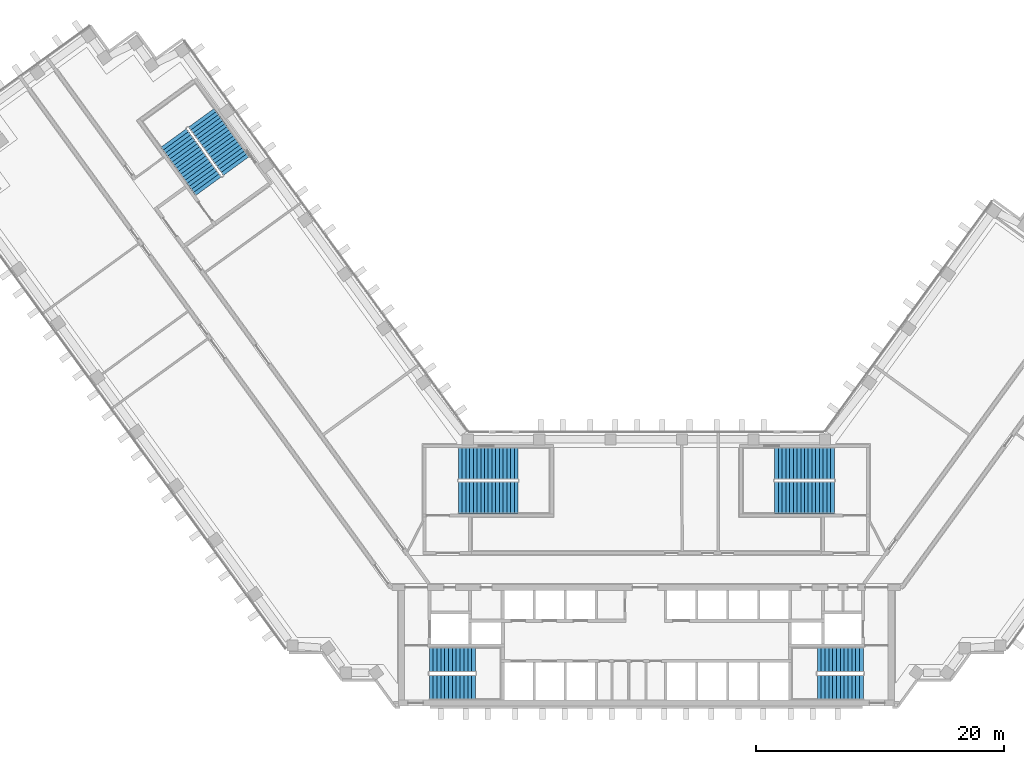
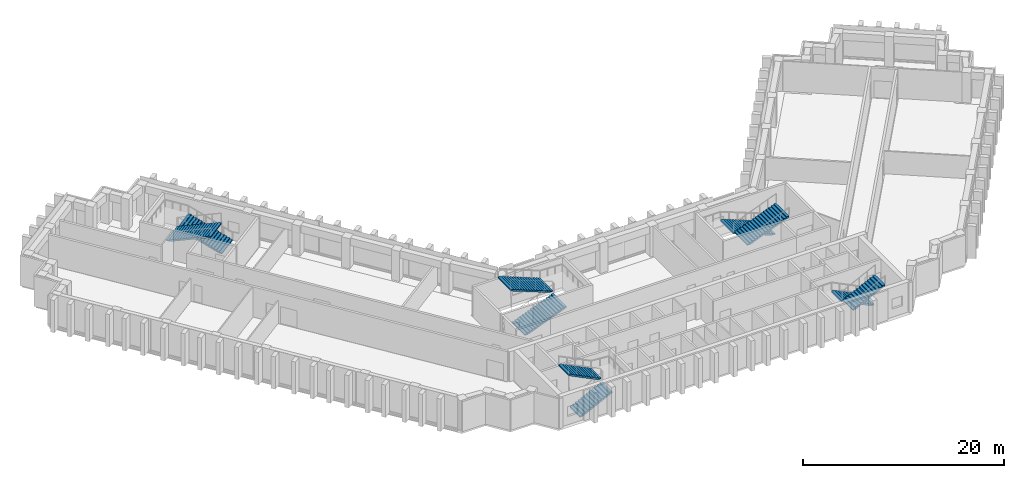
# One storey, part 10 of 12: 10 stair flights, 5 elements without a shape of their own.
"""IFC4 building model written with IfcOpenShell, lengths in metres."""

import ifcopenshell
import ifcopenshell.guid

model = None  # the IFC model being written
_history = None  # IfcOwnerHistory: only IFC2X3 demands one
_inside = {}  # id of a spatial element -> (the spatial element, [elements in it])
_under = {}  # id of a project, library or spatial element -> (it, [spatial elements below it])
_declared = {}  # id of a project -> (the project, [libraries it declares])
_typed = {}  # id of a type object -> (the type object, [elements of that type])
_made_of = {}  # id of a material, layer set ... -> (it, [elements and type objects made of it])


def new_model(schema):
    """Start an empty IFC model of exactly this schema.

    Asked for "IFC4X3", IfcOpenShell would pick the latest addendum, in which some entities
    have other attributes; the version numbers below select the first issue.
    IFC2X3 requires an IfcOwnerHistory on every rooted entity: one is made here for all.
    """
    global model, _history
    if schema == "IFC4X3":
        model = ifcopenshell.file(schema_version=(4, 3, 0, 0))
    else:
        model = ifcopenshell.file(schema=schema)
    _inside.clear()
    _under.clear()
    _declared.clear()
    _typed.clear()
    _made_of.clear()
    _history = None
    if model.schema == "IFC2X3":
        org = make("IfcOrganization", Name="unknown")
        user = make(
            "IfcPersonAndOrganization",
            ThePerson=make("IfcPerson", FamilyName="unknown"),
            TheOrganization=org,
        )
        app = make(
            "IfcApplication",
            ApplicationDeveloper=org,
            Version="unknown",
            ApplicationFullName="unknown",
            ApplicationIdentifier="unknown",
        )
        _history = make(
            "IfcOwnerHistory",
            OwningUser=user,
            OwningApplication=app,
            ChangeAction="ADDED",
            CreationDate=0,
        )
    return model


def make(cls, **values):
    """One entity of the class cls with the attributes given. An attribute that is None is left unset."""
    return model.create_entity(
        cls, **{name: value for name, value in values.items() if value is not None}
    )


def rooted(cls, **values):
    """An entity with a GlobalId (a new one), such as an element, a storey or a relation."""
    return make(cls, GlobalId=ifcopenshell.guid.new(), OwnerHistory=_history, **values)


def si_unit(unit_type, name, prefix=None):
    """IfcSIUnit, for example si_unit("LENGTHUNIT", "METRE", prefix="MILLI")."""
    return make("IfcSIUnit", UnitType=unit_type, Prefix=prefix, Name=name)


def assignment(units):
    """IfcUnitAssignment: the units of a project."""
    return None if units is None else make("IfcUnitAssignment", Units=units)


def point(xyz):
    """IfcCartesianPoint."""
    return None if xyz is None else make("IfcCartesianPoint", Coordinates=xyz)


def direction(xyz):
    """IfcDirection."""
    return None if xyz is None else make("IfcDirection", DirectionRatios=xyz)


def frame(location, z_axis=None, x_axis=None):
    """IfcAxis2Placement3D, a coordinate frame: its origin and axes. An axis left out is left unset."""
    return make(
        "IfcAxis2Placement3D",
        Location=point(location),
        Axis=direction(z_axis),
        RefDirection=direction(x_axis),
    )


def origin():
    """The frame at (0, 0, 0) with its axes left unset."""
    return frame((0.0, 0.0, 0.0))


def place(relative_to, where):
    """IfcLocalPlacement: puts the frame where relative to a parent placement (None: the world)."""
    return make(
        "IfcLocalPlacement", PlacementRelTo=relative_to, RelativePlacement=where
    )


def context(
    kind, dimensions, precision=None, world=None, true_north=None, identifier=None
):
    """IfcGeometricRepresentationContext, for example the 3D "Model" context."""
    return make(
        "IfcGeometricRepresentationContext",
        ContextIdentifier=identifier,
        ContextType=kind,
        CoordinateSpaceDimension=dimensions,
        Precision=precision,
        WorldCoordinateSystem=world,
        TrueNorth=true_north,
    )


def subcontext(parent, identifier, kind, view, scale=None):
    """IfcGeometricRepresentationSubContext, for example "Body" below "Model"."""
    return make(
        "IfcGeometricRepresentationSubContext",
        ContextIdentifier=identifier,
        ContextType=kind,
        ParentContext=parent,
        TargetScale=scale,
        TargetView=view,
    )


def project(units=None, contexts=None):
    """IfcProject with its units and contexts."""
    return rooted(
        "IfcProject",
        Name="project",
        RepresentationContexts=contexts,
        UnitsInContext=assignment(units),
    )


def spatial(cls, under=None, at=None, **own):
    """A site, building, storey or space (cls), placed at a placement, below another one or the project."""
    s = rooted(cls, ObjectPlacement=at, **own)
    if under is not None:
        _under.setdefault(under.id(), (under, []))[1].append(s)
    return s


def polyline(points):
    """IfcPolyline through the points."""
    return make("IfcPolyline", Points=[point(p) for p in points])


def outline(outer, holes=None, kind="AREA"):
    """IfcArbitraryClosedProfileDef: a profile drawn as a closed curve; with holes, ...WithVoids."""
    if holes is None:
        return make("IfcArbitraryClosedProfileDef", ProfileType=kind, OuterCurve=outer)
    return make(
        "IfcArbitraryProfileDefWithVoids",
        ProfileType=kind,
        OuterCurve=outer,
        InnerCurves=holes,
    )


def extrude(swept, where, along, depth):
    """IfcExtrudedAreaSolid: the profile swept, set in the frame where, extruded along a direction by depth."""
    return make(
        "IfcExtrudedAreaSolid",
        SweptArea=swept,
        Position=where,
        ExtrudedDirection=direction(along),
        Depth=depth,
    )


def shape(context_of_items, identifier, shape_type, items):
    """IfcShapeRepresentation: the items that make up one representation, for example the "Body"."""
    return make(
        "IfcShapeRepresentation",
        ContextOfItems=context_of_items,
        RepresentationIdentifier=identifier,
        RepresentationType=shape_type,
        Items=items,
    )


def material(Name=None, Category=None):
    """IfcMaterial."""
    return make("IfcMaterial", Name=Name, Category=Category)


def made_of(thing, what):
    """Note that an element or type object is made of a material, layer set ...; save() writes the relation."""
    if what is not None:
        _made_of.setdefault(what.id(), (what, []))[1].append(thing)
    return thing


def type_object(cls, material=None, **own):
    """A type object (cls), such as IfcWallType, which elements share."""
    return made_of(rooted(cls, **own), material)


def element(
    cls,
    number,
    at=None,
    inside=None,
    cuts=None,
    type_object=None,
    material=None,
    context=None,
    identifier="Body",
    shape_type=None,
    held_by="IfcProductDefinitionShape",
    body=None,
    shapes=None,
    **own,
):
    """One element of the class cls, such as IfcWall. Its Tag is "e" and its number.

    at: its placement. inside: the storey or other place that contains it. cuts: it is an
    opening in that element (IfcRelVoidsElement). A single representation is given by context,
    identifier, shape_type and body (its items); several are given by shapes. held_by: the class
    of the entity that holds the representations. save() writes the other relations.
    """
    e = rooted(cls, Tag="e%d" % number, ObjectPlacement=at, **own)
    if body is not None:
        shapes = [shape(context, identifier, shape_type, body)]
    if shapes is not None:
        e.Representation = make(held_by, Representations=shapes)
    if inside is not None:
        _inside.setdefault(inside.id(), (inside, []))[1].append(e)
    if cuts is not None:
        rooted(
            "IfcRelVoidsElement", RelatingBuildingElement=cuts, RelatedOpeningElement=e
        )
    if type_object is not None:
        _typed.setdefault(type_object.id(), (type_object, []))[1].append(e)
    return made_of(e, material)


def aggregate(whole, parts):
    """IfcRelAggregates: a whole, such as a stair, and the parts it consists of."""
    return rooted("IfcRelAggregates", RelatingObject=whole, RelatedObjects=parts)


def save(model, path):
    """Write the relations noted so far, then the file.

    IfcRelAggregates (storeys below a building ...), IfcRelContainedInSpatialStructure (elements
    in a storey), IfcRelDefinesByType, IfcRelAssociatesMaterial and IfcRelDeclares: one each for
    every whole, place, type object, material and project.
    """
    for whole, parts in _under.values():
        aggregate(whole, parts)
    for where, things in _inside.values():
        rooted(
            "IfcRelContainedInSpatialStructure",
            RelatedElements=things,
            RelatingStructure=where,
        )
    for kind, things in _typed.values():
        rooted("IfcRelDefinesByType", RelatedObjects=things, RelatingType=kind)
    for what, things in _made_of.values():
        rooted("IfcRelAssociatesMaterial", RelatedObjects=things, RelatingMaterial=what)
    for by, libraries in _declared.values():
        rooted("IfcRelDeclares", RelatingContext=by, RelatedDefinitions=libraries)
    model.write(path)


model = new_model("IFC4")

# Units and contexts
model_context = context("Model", 3, precision=1e-05, world=origin(), true_north=direction((0.0, 1.0)))
body_context = subcontext(model_context, "Body", "Model", "MODEL_VIEW")
ifc_project = project(units=[si_unit("LENGTHUNIT", "METRE"), si_unit("AREAUNIT", "SQUARE_METRE"), si_unit("VOLUMEUNIT", "CUBIC_METRE"), si_unit("PLANEANGLEUNIT", "RADIAN"), si_unit("MASSUNIT", "GRAM", prefix="KILO")], contexts=[model_context])

# Site, building, storey
site_placement = place(None, origin())
site = spatial("IfcSite", under=ifc_project, at=site_placement, CompositionType="ELEMENT")
building_placement = place(site_placement, origin())
building = spatial("IfcBuilding", under=site, at=building_placement, Name="Quipu Civic Tower", CompositionType="ELEMENT")
storey_placement = place(building_placement, frame((0.0, 0.0, 121.0)))
storey = spatial("IfcBuildingStorey", under=building, at=storey_placement, Name="L28", CompositionType="ELEMENT", Elevation=121.0)

# Stair, stair flights
ifc_material_1 = material(Name="Concrete C40/50", Category="concrete")
stair_type_1 = type_object("IfcStairType", Name="Half turn stair 2000", PredefinedType="HALF_TURN_STAIR", material=ifc_material_1)
stair_1_placement = place(storey_placement, origin())
stair_1 = element("IfcStair", 1, at=stair_1_placement, inside=storey, type_object=stair_type_1, Name="Exit stair 1", PredefinedType="HALF_TURN_STAIR")
ifc_material_2 = material(Name="Concrete C40/50", Category="concrete")
stair_flight_type_1 = type_object("IfcStairFlightType", Name="Stair flight 2000", PredefinedType="STRAIGHT", material=ifc_material_2)
stair_flight_1_placement = place(storey_placement, frame((-17.5, -9.5, 0.0), z_axis=(0.0, 0.0, 1.0), x_axis=(1.0, 0.0, 0.0)))
stair_flight_1 = element("IfcStairFlight", 2, at=stair_flight_1_placement, type_object=stair_flight_type_1, Name="ST-1 flight 1", NumberOfRisers=13, NumberOfTreads=12, PredefinedType="STRAIGHT", RiserHeight=0.153846154, TreadLength=0.31, context=body_context, shape_type="SweptSolid", body=[
    extrude(outline(polyline([(0.0, 0.0), (0.0, 0.15380859375), (0.31005859375, 0.15380859375), (0.31005859375, 0.3076171875), (0.6201171875, 0.3076171875), (0.6201171875, 0.46142578125), (0.929931640625, 0.46142578125), (0.929931640625, 0.615478515625), (1.239990234375, 0.615478515625), (1.239990234375, 0.769287109375), (1.550048828125, 0.769287109375), (1.550048828125, 0.923095703125), (1.860107421875, 0.923095703125), (1.860107421875, 1.076904296875), (2.169921875, 1.076904296875), (2.169921875, 1.230712890625), (2.47998046875, 1.230712890625), (2.47998046875, 1.384521484375), (2.7900390625, 1.384521484375), (2.7900390625, 1.53857421875), (3.10009765625, 1.53857421875), (3.10009765625, 1.6923828125), (3.409912109375, 1.6923828125), (3.409912109375, 1.84619140625), (3.719970703125, 1.84619140625), (3.719970703125, 2.0), (3.719970703125, 1.6787109375), (0.337158203125, 0.0), (0.0, 0.0)])), frame((0.0, 1.0, 0.0), z_axis=(0.0, -1.0, 0.0), x_axis=(1.0, 0.0, 0.0)), (0.0, 0.0, 1.0), 2.0),
])
stair_flight_2_placement = place(storey_placement, frame((-13.780029296875, -7.25, 2.0), z_axis=(0.0, 0.0, 1.0), x_axis=(-1.0, 0.0, 0.0)))
stair_flight_2 = element("IfcStairFlight", 3, at=stair_flight_2_placement, type_object=stair_flight_type_1, Name="ST-1 flight 2", NumberOfRisers=13, NumberOfTreads=12, PredefinedType="STRAIGHT", RiserHeight=0.153846154, TreadLength=0.31, context=body_context, shape_type="SweptSolid", body=[
    extrude(outline(polyline([(0.0, 0.0), (0.0, 0.15380859375), (0.31005859375, 0.15380859375), (0.31005859375, 0.3076171875), (0.6201171875, 0.3076171875), (0.6201171875, 0.46142578125), (0.929931640625, 0.46142578125), (0.929931640625, 0.615478515625), (1.239990234375, 0.615478515625), (1.239990234375, 0.769287109375), (1.550048828125, 0.769287109375), (1.550048828125, 0.923095703125), (1.860107421875, 0.923095703125), (1.860107421875, 1.076904296875), (2.169921875, 1.076904296875), (2.169921875, 1.230712890625), (2.47998046875, 1.230712890625), (2.47998046875, 1.384521484375), (2.7900390625, 1.384521484375), (2.7900390625, 1.53857421875), (3.10009765625, 1.53857421875), (3.10009765625, 1.6923828125), (3.409912109375, 1.6923828125), (3.409912109375, 1.84619140625), (3.719970703125, 1.84619140625), (3.719970703125, 2.0), (3.719970703125, 1.6787109375), (0.337158203125, 0.0), (0.0, 0.0)])), frame((0.0, 1.0, 0.0), z_axis=(0.0, -1.0, 0.0), x_axis=(1.0, 0.0, 0.0)), (0.0, 0.0, 1.0), 2.0),
])
aggregate(stair_1, [stair_flight_1, stair_flight_2])

stair_2_placement = place(storey_placement, origin())
stair_2 = element("IfcStair", 4, at=stair_2_placement, inside=storey, type_object=stair_type_1, Name="Exit stair 2", PredefinedType="HALF_TURN_STAIR")
stair_flight_3_placement = place(storey_placement, frame((17.5, -7.25, 0.0), z_axis=(0.0, 0.0, 1.0), x_axis=(-1.0, 0.0, 0.0)))
stair_flight_3 = element("IfcStairFlight", 5, at=stair_flight_3_placement, type_object=stair_flight_type_1, Name="ST-2 flight 1", NumberOfRisers=13, NumberOfTreads=12, PredefinedType="STRAIGHT", RiserHeight=0.153846154, TreadLength=0.31, context=body_context, shape_type="SweptSolid", body=[
    extrude(outline(polyline([(0.0, 0.0), (0.0, 0.15380859375), (0.31005859375, 0.15380859375), (0.31005859375, 0.3076171875), (0.6201171875, 0.3076171875), (0.6201171875, 0.46142578125), (0.929931640625, 0.46142578125), (0.929931640625, 0.615478515625), (1.239990234375, 0.615478515625), (1.239990234375, 0.769287109375), (1.550048828125, 0.769287109375), (1.550048828125, 0.923095703125), (1.860107421875, 0.923095703125), (1.860107421875, 1.076904296875), (2.169921875, 1.076904296875), (2.169921875, 1.230712890625), (2.47998046875, 1.230712890625), (2.47998046875, 1.384521484375), (2.7900390625, 1.384521484375), (2.7900390625, 1.53857421875), (3.10009765625, 1.53857421875), (3.10009765625, 1.6923828125), (3.409912109375, 1.6923828125), (3.409912109375, 1.84619140625), (3.719970703125, 1.84619140625), (3.719970703125, 2.0), (3.719970703125, 1.6787109375), (0.337158203125, 0.0), (0.0, 0.0)])), frame((0.0, 1.0, 0.0), z_axis=(0.0, -1.0, 0.0), x_axis=(1.0, 0.0, 0.0)), (0.0, 0.0, 1.0), 2.0),
])
stair_flight_4_placement = place(storey_placement, frame((13.780029296875, -9.5, 2.0), z_axis=(0.0, 0.0, 1.0), x_axis=(1.0, 0.0, 0.0)))
stair_flight_4 = element("IfcStairFlight", 6, at=stair_flight_4_placement, type_object=stair_flight_type_1, Name="ST-2 flight 2", NumberOfRisers=13, NumberOfTreads=12, PredefinedType="STRAIGHT", RiserHeight=0.153846154, TreadLength=0.31, context=body_context, shape_type="SweptSolid", body=[
    extrude(outline(polyline([(0.0, 0.0), (0.0, 0.15380859375), (0.31005859375, 0.15380859375), (0.31005859375, 0.3076171875), (0.6201171875, 0.3076171875), (0.6201171875, 0.46142578125), (0.929931640625, 0.46142578125), (0.929931640625, 0.615478515625), (1.239990234375, 0.615478515625), (1.239990234375, 0.769287109375), (1.550048828125, 0.769287109375), (1.550048828125, 0.923095703125), (1.860107421875, 0.923095703125), (1.860107421875, 1.076904296875), (2.169921875, 1.076904296875), (2.169921875, 1.230712890625), (2.47998046875, 1.230712890625), (2.47998046875, 1.384521484375), (2.7900390625, 1.384521484375), (2.7900390625, 1.53857421875), (3.10009765625, 1.53857421875), (3.10009765625, 1.6923828125), (3.409912109375, 1.6923828125), (3.409912109375, 1.84619140625), (3.719970703125, 1.84619140625), (3.719970703125, 2.0), (3.719970703125, 1.6787109375), (0.337158203125, 0.0), (0.0, 0.0)])), frame((0.0, 1.0, 0.0), z_axis=(0.0, -1.0, 0.0), x_axis=(1.0, 0.0, 0.0)), (0.0, 0.0, 1.0), 2.0),
])
aggregate(stair_2, [stair_flight_3, stair_flight_4])

ifc_material_3 = material(Name="Concrete C40/50", Category="concrete")
stair_type_2 = type_object("IfcStairType", Name="Half turn stair 2600", PredefinedType="HALF_TURN_STAIR", material=ifc_material_3)
stair_3_placement = place(storey_placement, origin())
stair_3 = element("IfcStair", 7, at=stair_3_placement, inside=storey, type_object=stair_type_2, Name="Exit stair 3", PredefinedType="HALF_TURN_STAIR")
ifc_material_4 = material(Name="Concrete C40/50", Category="concrete")
stair_flight_type_2 = type_object("IfcStairFlightType", Name="Stair flight 2600", PredefinedType="STRAIGHT", material=ifc_material_4)
stair_flight_5_placement = place(storey_placement, frame((-15.14990234375, 5.800048828125, 0.0), z_axis=(0.0, 0.0, 1.0), x_axis=(1.0, 0.0, 0.0)))
stair_flight_5 = element("IfcStairFlight", 8, at=stair_flight_5_placement, type_object=stair_flight_type_2, Name="ST-3 flight 1", NumberOfRisers=17, NumberOfTreads=16, PredefinedType="STRAIGHT", RiserHeight=0.117647059, TreadLength=0.3, context=body_context, shape_type="SweptSolid", body=[
    extrude(outline(polyline([(0.0, 0.0), (0.0, 0.11767578125), (0.300048828125, 0.11767578125), (0.300048828125, 0.2353515625), (0.60009765625, 0.2353515625), (0.60009765625, 0.35302734375), (0.89990234375, 0.35302734375), (0.89990234375, 0.470703125), (1.199951171875, 0.470703125), (1.199951171875, 0.588134765625), (1.5, 0.588134765625), (1.5, 0.705810546875), (1.800048828125, 0.705810546875), (1.800048828125, 0.823486328125), (2.10009765625, 0.823486328125), (2.10009765625, 0.941162109375), (2.39990234375, 0.941162109375), (2.39990234375, 1.058837890625), (2.699951171875, 1.058837890625), (2.699951171875, 1.176513671875), (3.0, 1.176513671875), (3.0, 1.294189453125), (3.300048828125, 1.294189453125), (3.300048828125, 1.411865234375), (3.60009765625, 1.411865234375), (3.60009765625, 1.529296875), (3.89990234375, 1.529296875), (3.89990234375, 1.64697265625), (4.199951171875, 1.64697265625), (4.199951171875, 1.7646484375), (4.5, 1.7646484375), (4.5, 1.88232421875), (4.800048828125, 1.88232421875), (4.800048828125, 2.0), (4.800048828125, 1.721435546875), (0.41064453125, 0.0), (0.0, 0.0)])), frame((0.0, 1.300048828125, 0.0), z_axis=(0.0, -1.0, 0.0), x_axis=(1.0, 0.0, 0.0)), (0.0, 0.0, 1.0), 2.60009765625),
])
stair_flight_6_placement = place(storey_placement, frame((-10.35009765625, 8.550048828125, 2.0), z_axis=(0.0, 0.0, 1.0), x_axis=(-1.0, 0.0, 0.0)))
stair_flight_6 = element("IfcStairFlight", 9, at=stair_flight_6_placement, type_object=stair_flight_type_2, Name="ST-3 flight 2", NumberOfRisers=17, NumberOfTreads=16, PredefinedType="STRAIGHT", RiserHeight=0.117647059, TreadLength=0.3, context=body_context, shape_type="SweptSolid", body=[
    extrude(outline(polyline([(0.0, 0.0), (0.0, 0.11767578125), (0.300048828125, 0.11767578125), (0.300048828125, 0.2353515625), (0.60009765625, 0.2353515625), (0.60009765625, 0.35302734375), (0.89990234375, 0.35302734375), (0.89990234375, 0.470703125), (1.199951171875, 0.470703125), (1.199951171875, 0.588134765625), (1.5, 0.588134765625), (1.5, 0.705810546875), (1.800048828125, 0.705810546875), (1.800048828125, 0.823486328125), (2.10009765625, 0.823486328125), (2.10009765625, 0.941162109375), (2.39990234375, 0.941162109375), (2.39990234375, 1.058837890625), (2.699951171875, 1.058837890625), (2.699951171875, 1.176513671875), (3.0, 1.176513671875), (3.0, 1.294189453125), (3.300048828125, 1.294189453125), (3.300048828125, 1.411865234375), (3.60009765625, 1.411865234375), (3.60009765625, 1.529296875), (3.89990234375, 1.529296875), (3.89990234375, 1.64697265625), (4.199951171875, 1.64697265625), (4.199951171875, 1.7646484375), (4.5, 1.7646484375), (4.5, 1.88232421875), (4.800048828125, 1.88232421875), (4.800048828125, 2.0), (4.800048828125, 1.721435546875), (0.41064453125, 0.0), (0.0, 0.0)])), frame((0.0, 1.300048828125, 0.0), z_axis=(0.0, -1.0, 0.0), x_axis=(1.0, 0.0, 0.0)), (0.0, 0.0, 1.0), 2.60009765625),
])
aggregate(stair_3, [stair_flight_5, stair_flight_6])

stair_4_placement = place(storey_placement, origin())
stair_4 = element("IfcStair", 10, at=stair_4_placement, inside=storey, type_object=stair_type_2, Name="Exit stair 4", PredefinedType="HALF_TURN_STAIR")
stair_flight_7_placement = place(storey_placement, frame((15.14990234375, 8.550048828125, 0.0), z_axis=(0.0, 0.0, 1.0), x_axis=(-1.0, 0.0, 0.0)))
stair_flight_7 = element("IfcStairFlight", 11, at=stair_flight_7_placement, type_object=stair_flight_type_2, Name="ST-4 flight 1", NumberOfRisers=17, NumberOfTreads=16, PredefinedType="STRAIGHT", RiserHeight=0.117647059, TreadLength=0.3, context=body_context, shape_type="SweptSolid", body=[
    extrude(outline(polyline([(0.0, 0.0), (0.0, 0.11767578125), (0.300048828125, 0.11767578125), (0.300048828125, 0.2353515625), (0.60009765625, 0.2353515625), (0.60009765625, 0.35302734375), (0.89990234375, 0.35302734375), (0.89990234375, 0.470703125), (1.199951171875, 0.470703125), (1.199951171875, 0.588134765625), (1.5, 0.588134765625), (1.5, 0.705810546875), (1.800048828125, 0.705810546875), (1.800048828125, 0.823486328125), (2.10009765625, 0.823486328125), (2.10009765625, 0.941162109375), (2.39990234375, 0.941162109375), (2.39990234375, 1.058837890625), (2.699951171875, 1.058837890625), (2.699951171875, 1.176513671875), (3.0, 1.176513671875), (3.0, 1.294189453125), (3.300048828125, 1.294189453125), (3.300048828125, 1.411865234375), (3.60009765625, 1.411865234375), (3.60009765625, 1.529296875), (3.89990234375, 1.529296875), (3.89990234375, 1.64697265625), (4.199951171875, 1.64697265625), (4.199951171875, 1.7646484375), (4.5, 1.7646484375), (4.5, 1.88232421875), (4.800048828125, 1.88232421875), (4.800048828125, 2.0), (4.800048828125, 1.721435546875), (0.41064453125, 0.0), (0.0, 0.0)])), frame((0.0, 1.300048828125, 0.0), z_axis=(0.0, -1.0, 0.0), x_axis=(1.0, 0.0, 0.0)), (0.0, 0.0, 1.0), 2.60009765625),
])
stair_flight_8_placement = place(storey_placement, frame((10.35009765625, 5.800048828125, 2.0), z_axis=(0.0, 0.0, 1.0), x_axis=(1.0, 0.0, 0.0)))
stair_flight_8 = element("IfcStairFlight", 12, at=stair_flight_8_placement, type_object=stair_flight_type_2, Name="ST-4 flight 2", NumberOfRisers=17, NumberOfTreads=16, PredefinedType="STRAIGHT", RiserHeight=0.117647059, TreadLength=0.3, context=body_context, shape_type="SweptSolid", body=[
    extrude(outline(polyline([(0.0, 0.0), (0.0, 0.11767578125), (0.300048828125, 0.11767578125), (0.300048828125, 0.2353515625), (0.60009765625, 0.2353515625), (0.60009765625, 0.35302734375), (0.89990234375, 0.35302734375), (0.89990234375, 0.470703125), (1.199951171875, 0.470703125), (1.199951171875, 0.588134765625), (1.5, 0.588134765625), (1.5, 0.705810546875), (1.800048828125, 0.705810546875), (1.800048828125, 0.823486328125), (2.10009765625, 0.823486328125), (2.10009765625, 0.941162109375), (2.39990234375, 0.941162109375), (2.39990234375, 1.058837890625), (2.699951171875, 1.058837890625), (2.699951171875, 1.176513671875), (3.0, 1.176513671875), (3.0, 1.294189453125), (3.300048828125, 1.294189453125), (3.300048828125, 1.411865234375), (3.60009765625, 1.411865234375), (3.60009765625, 1.529296875), (3.89990234375, 1.529296875), (3.89990234375, 1.64697265625), (4.199951171875, 1.64697265625), (4.199951171875, 1.7646484375), (4.5, 1.7646484375), (4.5, 1.88232421875), (4.800048828125, 1.88232421875), (4.800048828125, 2.0), (4.800048828125, 1.721435546875), (0.41064453125, 0.0), (0.0, 0.0)])), frame((0.0, 1.300048828125, 0.0), z_axis=(0.0, -1.0, 0.0), x_axis=(1.0, 0.0, 0.0)), (0.0, 0.0, 1.0), 2.60009765625),
])
aggregate(stair_4, [stair_flight_7, stair_flight_8])

stair_5_placement = place(storey_placement, origin())
stair_5 = element("IfcStair", 13, at=stair_5_placement, inside=storey, type_object=stair_type_2, Name="Exit stair 6", PredefinedType="HALF_TURN_STAIR")
stair_flight_9_placement = place(storey_placement, frame((-33.067626953125, 32.5322265625, 0.0), z_axis=(0.0, 0.0, 1.0), x_axis=(-0.587785252292, 0.809016994375, 0.0)))
stair_flight_9 = element("IfcStairFlight", 14, at=stair_flight_9_placement, type_object=stair_flight_type_2, Name="ST-6 flight 1", NumberOfRisers=17, NumberOfTreads=16, PredefinedType="STRAIGHT", RiserHeight=0.117647059, TreadLength=0.3, context=body_context, shape_type="SweptSolid", body=[
    extrude(outline(polyline([(0.0, 0.0), (0.0, 0.11767578125), (0.300048828125, 0.11767578125), (0.300048828125, 0.2353515625), (0.60009765625, 0.2353515625), (0.60009765625, 0.35302734375), (0.89990234375, 0.35302734375), (0.89990234375, 0.470703125), (1.199951171875, 0.470703125), (1.199951171875, 0.588134765625), (1.5, 0.588134765625), (1.5, 0.705810546875), (1.800048828125, 0.705810546875), (1.800048828125, 0.823486328125), (2.10009765625, 0.823486328125), (2.10009765625, 0.941162109375), (2.39990234375, 0.941162109375), (2.39990234375, 1.058837890625), (2.699951171875, 1.058837890625), (2.699951171875, 1.176513671875), (3.0, 1.176513671875), (3.0, 1.294189453125), (3.300048828125, 1.294189453125), (3.300048828125, 1.411865234375), (3.60009765625, 1.411865234375), (3.60009765625, 1.529296875), (3.89990234375, 1.529296875), (3.89990234375, 1.64697265625), (4.199951171875, 1.64697265625), (4.199951171875, 1.7646484375), (4.5, 1.7646484375), (4.5, 1.88232421875), (4.800048828125, 1.88232421875), (4.800048828125, 2.0), (4.800048828125, 1.721435546875), (0.41064453125, 0.0), (0.0, 0.0)])), frame((0.0, 1.300048828125, 0.0), z_axis=(0.0, -1.0, 0.0), x_axis=(1.0, 0.0, 0.0)), (0.0, 0.0, 1.0), 2.60009765625),
])
stair_flight_10_placement = place(storey_placement, frame((-38.11376953125, 34.799072265625, 2.0), z_axis=(0.0, 0.0, 1.0), x_axis=(0.587785252292, -0.809016994375, 0.0)))
stair_flight_10 = element("IfcStairFlight", 15, at=stair_flight_10_placement, type_object=stair_flight_type_2, Name="ST-6 flight 2", NumberOfRisers=17, NumberOfTreads=16, PredefinedType="STRAIGHT", RiserHeight=0.117647059, TreadLength=0.3, context=body_context, shape_type="SweptSolid", body=[
    extrude(outline(polyline([(0.0, 0.0), (0.0, 0.11767578125), (0.300048828125, 0.11767578125), (0.300048828125, 0.2353515625), (0.60009765625, 0.2353515625), (0.60009765625, 0.35302734375), (0.89990234375, 0.35302734375), (0.89990234375, 0.470703125), (1.199951171875, 0.470703125), (1.199951171875, 0.588134765625), (1.5, 0.588134765625), (1.5, 0.705810546875), (1.800048828125, 0.705810546875), (1.800048828125, 0.823486328125), (2.10009765625, 0.823486328125), (2.10009765625, 0.941162109375), (2.39990234375, 0.941162109375), (2.39990234375, 1.058837890625), (2.699951171875, 1.058837890625), (2.699951171875, 1.176513671875), (3.0, 1.176513671875), (3.0, 1.294189453125), (3.300048828125, 1.294189453125), (3.300048828125, 1.411865234375), (3.60009765625, 1.411865234375), (3.60009765625, 1.529296875), (3.89990234375, 1.529296875), (3.89990234375, 1.64697265625), (4.199951171875, 1.64697265625), (4.199951171875, 1.7646484375), (4.5, 1.7646484375), (4.5, 1.88232421875), (4.800048828125, 1.88232421875), (4.800048828125, 2.0), (4.800048828125, 1.721435546875), (0.41064453125, 0.0), (0.0, 0.0)])), frame((0.0, 1.300048828125, 0.0), z_axis=(0.0, -1.0, 0.0), x_axis=(1.0, 0.0, 0.0)), (0.0, 0.0, 1.0), 2.60009765625),
])
aggregate(stair_5, [stair_flight_9, stair_flight_10])

save(model, "model.ifc")
